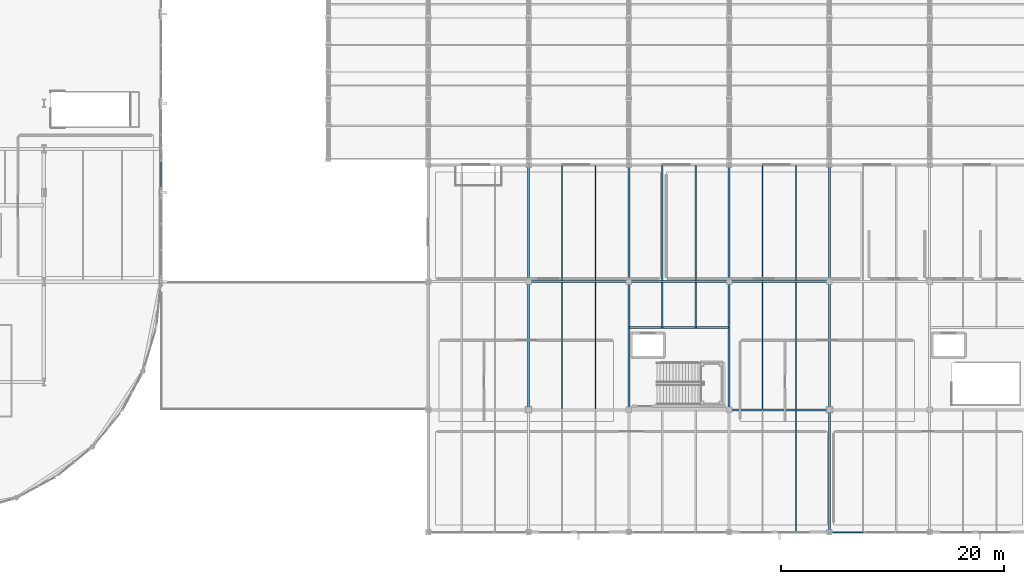
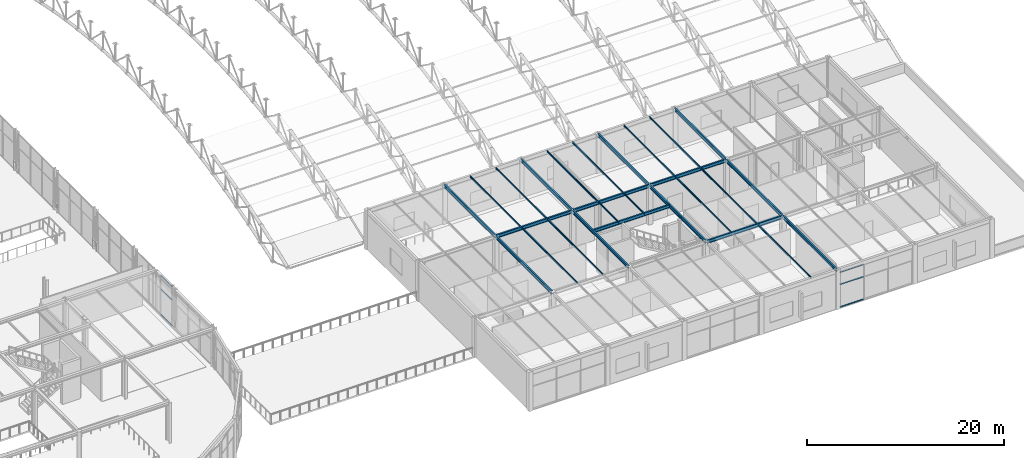
# One storey, part 65 of 195: 27 beams, 6 members, 2 elements without a shape of their own.
"""IFC4 building model written with IfcOpenShell, lengths in metres."""

from ifc_helpers import new_model, si_unit, direction, frame, origin, origin_2d, place, context, subcontext, project, spatial, hollow_rectangle, i_section, extrude, material, layer, layer_set, material_profile, profile_set, type_object, element, aggregate, save


model = new_model("IFC4")

# Units and contexts
model_context = context("Model", 3, precision=1e-05, world=origin(), true_north=direction((0.0, 1.0)))
body_context = subcontext(model_context, "Body", "Model", "MODEL_VIEW")
ifc_project = project(units=[si_unit("LENGTHUNIT", "METRE"), si_unit("AREAUNIT", "SQUARE_METRE"), si_unit("VOLUMEUNIT", "CUBIC_METRE"), si_unit("PLANEANGLEUNIT", "RADIAN"), si_unit("MASSUNIT", "GRAM", prefix="KILO")], contexts=[model_context])

# Site, building, storey
site_placement = place(None, origin())
site = spatial("IfcSite", under=ifc_project, at=site_placement, CompositionType="ELEMENT")
building_placement = place(site_placement, origin())
building = spatial("IfcBuilding", under=site, at=building_placement, Name="Marlcrest Central Station", CompositionType="ELEMENT")
storey_placement = place(building_placement, frame((0.0, 0.0, 9.800048828125)))
storey = spatial("IfcBuildingStorey", under=building, at=storey_placement, Name="L02", CompositionType="ELEMENT", Elevation=9.800048828125)

# Beams
ifc_material_1 = material(Name="Steel S355", Category="steel")
ifc_material_profile_1 = material_profile(ifc_material_1, i_section(OverallWidth=0.179931640625, OverallDepth=0.39990234375, WebThickness=0.008544921875, FlangeThickness=0.013427734375, FilletRadius=0.02099609375, at=origin_2d()), Name="IPE 400")
ifc_profile_set_1 = profile_set([ifc_material_profile_1], Name="Steel S355")
beam_type_1 = type_object("IfcBeamType", Name="BM-03", PredefinedType="BEAM", material=ifc_profile_set_1)
for number, where, z_axis, x_axis, name in (
    (1, (180.06005859375, 11.0, 4.669921875), (1.0, 0.0, 0.0), (0.0, 1.0, 0.0), "bm-BM-03-L02-00964"),
    (2, (162.06005859375, 22.5, 4.669921875), (1.0, 0.0, 0.0), (0.0, 1.0, 0.0), "bm-BM-03-L02-00968"),
    (3, (171.06005859375, 22.5, 4.669921875), (1.0, 0.0, 0.0), (0.0, 1.0, 0.0), "bm-BM-03-L02-00969"),
    (4, (180.06005859375, 22.5, 4.669921875), (1.0, 0.0, 0.0), (0.0, 1.0, 0.0), "bm-BM-03-L02-00970"),
):
    element("IfcBeam", number, at=place(storey_placement, frame(where, z_axis=z_axis, x_axis=x_axis)), inside=storey, type_object=beam_type_1, Name=name, PredefinedType="BEAM", context=body_context, shape_type="SweptSolid", body=[
        extrude(i_section(OverallWidth=0.179931640625, OverallDepth=0.39990234375, WebThickness=0.008544921875, FlangeThickness=0.013427734375, FilletRadius=0.02099609375, at=origin_2d()), origin(), (0.0, 0.0, 1.0), 8.8798828125),
    ])
beam_1_placement = place(storey_placement, frame((162.0, 11.06005859375, 4.669921875), z_axis=(0.0, 1.0, 0.0), x_axis=(-1.0, 0.0, 0.0)))
element("IfcBeam", 5, at=beam_1_placement, inside=storey, type_object=beam_type_1, Name="bm-BM-03-L02-00983", PredefinedType="BEAM", context=body_context, shape_type="SweptSolid", body=[
    extrude(i_section(OverallWidth=0.179931640625, OverallDepth=0.39990234375, WebThickness=0.008544921875, FlangeThickness=0.013427734375, FilletRadius=0.02099609375, at=origin_2d()), origin(), (0.0, 0.0, 1.0), 11.3798828125),
])
beam_2_placement = place(storey_placement, frame((162.0, 22.56005859375, 4.669921875), z_axis=(0.0, 1.0, 0.0), x_axis=(-1.0, 0.0, 0.0)))
element("IfcBeam", 6, at=beam_2_placement, inside=storey, type_object=beam_type_1, Name="bm-BM-03-L02-00984", PredefinedType="BEAM", context=body_context, shape_type="SweptSolid", body=[
    extrude(i_section(OverallWidth=0.179931640625, OverallDepth=0.39990234375, WebThickness=0.008544921875, FlangeThickness=0.013427734375, FilletRadius=0.02099609375, at=origin_2d()), origin(), (0.0, 0.0, 1.0), 10.3798828125),
])
beam_3_placement = place(storey_placement, frame((171.0, 11.06005859375, 4.669921875), z_axis=(0.0, 1.0, 0.0), x_axis=(-1.0, 0.0, 0.0)))
element("IfcBeam", 7, at=beam_3_placement, inside=storey, type_object=beam_type_1, Name="bm-BM-03-L02-00986", PredefinedType="BEAM", context=body_context, shape_type="SweptSolid", body=[
    extrude(i_section(OverallWidth=0.179931640625, OverallDepth=0.39990234375, WebThickness=0.008544921875, FlangeThickness=0.013427734375, FilletRadius=0.02099609375, at=origin_2d()), origin(), (0.0, 0.0, 1.0), 11.3798828125),
])
beam_4_placement = place(storey_placement, frame((171.0, 22.56005859375, 4.669921875), z_axis=(0.0, 1.0, 0.0), x_axis=(-1.0, 0.0, 0.0)))
element("IfcBeam", 8, at=beam_4_placement, inside=storey, type_object=beam_type_1, Name="bm-BM-03-L02-00987", PredefinedType="BEAM", context=body_context, shape_type="SweptSolid", body=[
    extrude(i_section(OverallWidth=0.179931640625, OverallDepth=0.39990234375, WebThickness=0.008544921875, FlangeThickness=0.013427734375, FilletRadius=0.02099609375, at=origin_2d()), origin(), (0.0, 0.0, 1.0), 10.3798828125),
])
beam_5_placement = place(storey_placement, frame((180.0, 11.06005859375, 4.669921875), z_axis=(0.0, 1.0, 0.0), x_axis=(-1.0, 0.0, 0.0)))
element("IfcBeam", 9, at=beam_5_placement, inside=storey, type_object=beam_type_1, Name="bm-BM-03-L02-00989", PredefinedType="BEAM", context=body_context, shape_type="SweptSolid", body=[
    extrude(i_section(OverallWidth=0.179931640625, OverallDepth=0.39990234375, WebThickness=0.008544921875, FlangeThickness=0.013427734375, FilletRadius=0.02099609375, at=origin_2d()), origin(), (0.0, 0.0, 1.0), 11.3798828125),
])
beam_6_placement = place(storey_placement, frame((180.0, 22.56005859375, 4.669921875), z_axis=(0.0, 1.0, 0.0), x_axis=(-1.0, 0.0, 0.0)))
element("IfcBeam", 10, at=beam_6_placement, inside=storey, type_object=beam_type_1, Name="bm-BM-03-L02-00990", PredefinedType="BEAM", context=body_context, shape_type="SweptSolid", body=[
    extrude(i_section(OverallWidth=0.179931640625, OverallDepth=0.39990234375, WebThickness=0.008544921875, FlangeThickness=0.013427734375, FilletRadius=0.02099609375, at=origin_2d()), origin(), (0.0, 0.0, 1.0), 10.3798828125),
])
beam_7_placement = place(storey_placement, frame((189.0, 0.06005859375, 4.669921875), z_axis=(0.0, 1.0, 0.0), x_axis=(-1.0, 0.0, 0.0)))
element("IfcBeam", 11, at=beam_7_placement, inside=storey, type_object=beam_type_1, Name="bm-BM-03-L02-00991", PredefinedType="BEAM", context=body_context, shape_type="SweptSolid", body=[
    extrude(i_section(OverallWidth=0.179931640625, OverallDepth=0.39990234375, WebThickness=0.008544921875, FlangeThickness=0.013427734375, FilletRadius=0.02099609375, at=origin_2d()), origin(), (0.0, 0.0, 1.0), 10.8798828125),
])
beam_8_placement = place(storey_placement, frame((189.0, 11.06005859375, 4.669921875), z_axis=(0.0, 1.0, 0.0), x_axis=(-1.0, 0.0, 0.0)))
element("IfcBeam", 12, at=beam_8_placement, inside=storey, type_object=beam_type_1, Name="bm-BM-03-L02-00992", PredefinedType="BEAM", context=body_context, shape_type="SweptSolid", body=[
    extrude(i_section(OverallWidth=0.179931640625, OverallDepth=0.39990234375, WebThickness=0.008544921875, FlangeThickness=0.013427734375, FilletRadius=0.02099609375, at=origin_2d()), origin(), (0.0, 0.0, 1.0), 11.3798828125),
])
beam_9_placement = place(storey_placement, frame((189.0, 22.56005859375, 4.669921875), z_axis=(0.0, 1.0, 0.0), x_axis=(-1.0, 0.0, 0.0)))
element("IfcBeam", 13, at=beam_9_placement, inside=storey, type_object=beam_type_1, Name="bm-BM-03-L02-00993", PredefinedType="BEAM", context=body_context, shape_type="SweptSolid", body=[
    extrude(i_section(OverallWidth=0.179931640625, OverallDepth=0.39990234375, WebThickness=0.008544921875, FlangeThickness=0.013427734375, FilletRadius=0.02099609375, at=origin_2d()), origin(), (0.0, 0.0, 1.0), 10.3798828125),
])
beam_10_placement = place(storey_placement, frame((171.0400390625, 18.39990234375, 4.669921875), z_axis=(1.0, 0.0, 0.0), x_axis=(0.0, 1.0, 0.0)))
element("IfcBeam", 14, at=beam_10_placement, inside=storey, type_object=beam_type_1, Name="bm-BM-03-L02-01036", PredefinedType="BEAM", context=body_context, shape_type="SweptSolid", body=[
    extrude(i_section(OverallWidth=0.179931640625, OverallDepth=0.39990234375, WebThickness=0.008544921875, FlangeThickness=0.013427734375, FilletRadius=0.02099609375, at=origin_2d()), origin(), (0.0, 0.0, 1.0), 8.919921875),
])
ifc_material_profile_2 = material_profile(ifc_material_1, i_section(OverallWidth=0.10009765625, OverallDepth=0.199951171875, WebThickness=0.005615234375, FlangeThickness=0.008544921875, FilletRadius=0.011962890625, at=origin_2d()), Name="IPE 200")
ifc_profile_set_2 = profile_set([ifc_material_profile_2], Name="Steel S355")
beam_type_2 = type_object("IfcBeamType", Name="JS-01", PredefinedType="JOIST", material=ifc_profile_set_2)
beam_11_placement = place(storey_placement, frame((165.0, 11.0830078125, 4.77001953125), z_axis=(0.0, 1.0, 0.0), x_axis=(-1.0, 0.0, 0.0)))
element("IfcBeam", 15, at=beam_11_placement, inside=storey, type_object=beam_type_2, Name="bm-JS-01-L02-01007", PredefinedType="JOIST", context=body_context, shape_type="SweptSolid", body=[
    extrude(i_section(OverallWidth=0.10009765625, OverallDepth=0.199951171875, WebThickness=0.005615234375, FlangeThickness=0.008544921875, FilletRadius=0.011962890625, at=origin_2d()), origin(), (0.0, 0.0, 1.0), 11.333984375),
])
beam_12_placement = place(storey_placement, frame((165.0, 22.5830078125, 4.77001953125), z_axis=(0.0, 1.0, 0.0), x_axis=(-1.0, 0.0, 0.0)))
element("IfcBeam", 16, at=beam_12_placement, inside=storey, type_object=beam_type_2, Name="bm-JS-01-L02-01008", PredefinedType="JOIST", context=body_context, shape_type="SweptSolid", body=[
    extrude(i_section(OverallWidth=0.10009765625, OverallDepth=0.199951171875, WebThickness=0.005615234375, FlangeThickness=0.008544921875, FilletRadius=0.011962890625, at=origin_2d()), origin(), (0.0, 0.0, 1.0), 10.333984375),
])
beam_13_placement = place(storey_placement, frame((168.0, 11.0830078125, 4.77001953125), z_axis=(0.0, 1.0, 0.0), x_axis=(-1.0, 0.0, 0.0)))
element("IfcBeam", 17, at=beam_13_placement, inside=storey, type_object=beam_type_2, Name="bm-JS-01-L02-01010", PredefinedType="JOIST", context=body_context, shape_type="SweptSolid", body=[
    extrude(i_section(OverallWidth=0.10009765625, OverallDepth=0.199951171875, WebThickness=0.005615234375, FlangeThickness=0.008544921875, FilletRadius=0.011962890625, at=origin_2d()), origin(), (0.0, 0.0, 1.0), 11.333984375),
])
beam_14_placement = place(storey_placement, frame((168.0, 22.5830078125, 4.77001953125), z_axis=(0.0, 1.0, 0.0), x_axis=(-1.0, 0.0, 0.0)))
element("IfcBeam", 18, at=beam_14_placement, inside=storey, type_object=beam_type_2, Name="bm-JS-01-L02-01011", PredefinedType="JOIST", context=body_context, shape_type="SweptSolid", body=[
    extrude(i_section(OverallWidth=0.10009765625, OverallDepth=0.199951171875, WebThickness=0.005615234375, FlangeThickness=0.008544921875, FilletRadius=0.011962890625, at=origin_2d()), origin(), (0.0, 0.0, 1.0), 10.333984375),
])
beam_15_placement = place(storey_placement, frame((174.0, 18.360107421875, 4.77001953125), z_axis=(0.0, 1.0, 0.0), x_axis=(-1.0, 0.0, 0.0)))
element("IfcBeam", 19, at=beam_15_placement, inside=storey, type_object=beam_type_2, Name="bm-JS-01-L02-01013", PredefinedType="JOIST", context=body_context, shape_type="SweptSolid", body=[
    extrude(i_section(OverallWidth=0.10009765625, OverallDepth=0.199951171875, WebThickness=0.005615234375, FlangeThickness=0.008544921875, FilletRadius=0.011962890625, at=origin_2d()), origin(), (0.0, 0.0, 1.0), 4.056884765625),
])
beam_16_placement = place(storey_placement, frame((174.0, 22.5830078125, 4.77001953125), z_axis=(0.0, 1.0, 0.0), x_axis=(-1.0, 0.0, 0.0)))
element("IfcBeam", 20, at=beam_16_placement, inside=storey, type_object=beam_type_2, Name="bm-JS-01-L02-01014", PredefinedType="JOIST", context=body_context, shape_type="SweptSolid", body=[
    extrude(i_section(OverallWidth=0.10009765625, OverallDepth=0.199951171875, WebThickness=0.005615234375, FlangeThickness=0.008544921875, FilletRadius=0.011962890625, at=origin_2d()), origin(), (0.0, 0.0, 1.0), 10.333984375),
])
beam_17_placement = place(storey_placement, frame((177.0, 18.360107421875, 4.77001953125), z_axis=(0.0, 1.0, 0.0), x_axis=(-1.0, 0.0, 0.0)))
element("IfcBeam", 21, at=beam_17_placement, inside=storey, type_object=beam_type_2, Name="bm-JS-01-L02-01016", PredefinedType="JOIST", context=body_context, shape_type="SweptSolid", body=[
    extrude(i_section(OverallWidth=0.10009765625, OverallDepth=0.199951171875, WebThickness=0.005615234375, FlangeThickness=0.008544921875, FilletRadius=0.011962890625, at=origin_2d()), origin(), (0.0, 0.0, 1.0), 4.056884765625),
])
beam_18_placement = place(storey_placement, frame((177.0, 22.5830078125, 4.77001953125), z_axis=(0.0, 1.0, 0.0), x_axis=(-1.0, 0.0, 0.0)))
element("IfcBeam", 22, at=beam_18_placement, inside=storey, type_object=beam_type_2, Name="bm-JS-01-L02-01017", PredefinedType="JOIST", context=body_context, shape_type="SweptSolid", body=[
    extrude(i_section(OverallWidth=0.10009765625, OverallDepth=0.199951171875, WebThickness=0.005615234375, FlangeThickness=0.008544921875, FilletRadius=0.011962890625, at=origin_2d()), origin(), (0.0, 0.0, 1.0), 10.333984375),
])
beam_19_placement = place(storey_placement, frame((183.0, 11.0830078125, 4.77001953125), z_axis=(0.0, 1.0, 0.0), x_axis=(-1.0, 0.0, 0.0)))
element("IfcBeam", 23, at=beam_19_placement, inside=storey, type_object=beam_type_2, Name="bm-JS-01-L02-01019", PredefinedType="JOIST", context=body_context, shape_type="SweptSolid", body=[
    extrude(i_section(OverallWidth=0.10009765625, OverallDepth=0.199951171875, WebThickness=0.005615234375, FlangeThickness=0.008544921875, FilletRadius=0.011962890625, at=origin_2d()), origin(), (0.0, 0.0, 1.0), 11.333984375),
])
beam_20_placement = place(storey_placement, frame((183.0, 22.5830078125, 4.77001953125), z_axis=(0.0, 1.0, 0.0), x_axis=(-1.0, 0.0, 0.0)))
element("IfcBeam", 24, at=beam_20_placement, inside=storey, type_object=beam_type_2, Name="bm-JS-01-L02-01020", PredefinedType="JOIST", context=body_context, shape_type="SweptSolid", body=[
    extrude(i_section(OverallWidth=0.10009765625, OverallDepth=0.199951171875, WebThickness=0.005615234375, FlangeThickness=0.008544921875, FilletRadius=0.011962890625, at=origin_2d()), origin(), (0.0, 0.0, 1.0), 10.333984375),
])
beam_21_placement = place(storey_placement, frame((186.0, 0.0830078125, 4.77001953125), z_axis=(0.0, 1.0, 0.0), x_axis=(-1.0, 0.0, 0.0)))
element("IfcBeam", 25, at=beam_21_placement, inside=storey, type_object=beam_type_2, Name="bm-JS-01-L02-01021", PredefinedType="JOIST", context=body_context, shape_type="SweptSolid", body=[
    extrude(i_section(OverallWidth=0.10009765625, OverallDepth=0.199951171875, WebThickness=0.005615234375, FlangeThickness=0.008544921875, FilletRadius=0.011962890625, at=origin_2d()), origin(), (0.0, 0.0, 1.0), 10.833984375),
])
beam_22_placement = place(storey_placement, frame((186.0, 11.0830078125, 4.77001953125), z_axis=(0.0, 1.0, 0.0), x_axis=(-1.0, 0.0, 0.0)))
element("IfcBeam", 26, at=beam_22_placement, inside=storey, type_object=beam_type_2, Name="bm-JS-01-L02-01022", PredefinedType="JOIST", context=body_context, shape_type="SweptSolid", body=[
    extrude(i_section(OverallWidth=0.10009765625, OverallDepth=0.199951171875, WebThickness=0.005615234375, FlangeThickness=0.008544921875, FilletRadius=0.011962890625, at=origin_2d()), origin(), (0.0, 0.0, 1.0), 11.333984375),
])
beam_23_placement = place(storey_placement, frame((186.0, 22.5830078125, 4.77001953125), z_axis=(0.0, 1.0, 0.0), x_axis=(-1.0, 0.0, 0.0)))
element("IfcBeam", 27, at=beam_23_placement, inside=storey, type_object=beam_type_2, Name="bm-JS-01-L02-01023", PredefinedType="JOIST", context=body_context, shape_type="SweptSolid", body=[
    extrude(i_section(OverallWidth=0.10009765625, OverallDepth=0.199951171875, WebThickness=0.005615234375, FlangeThickness=0.008544921875, FilletRadius=0.011962890625, at=origin_2d()), origin(), (0.0, 0.0, 1.0), 10.333984375),
])

# Curtain wall, members
ifc_material_2 = material(Name="Anodised aluminium and hurricane laminated glass", Category="aluminium")
ifc_layer_1 = layer(ifc_material_2, 0.219970703125, Name="CW-U1")
ifc_layer_set_1 = layer_set([ifc_layer_1], Name="Anodised aluminium and hurricane laminated glass")
curtain_wall_type_1 = type_object("IfcCurtainWallType", Name="CW-U1", PredefinedType="USERDEFINED", material=ifc_layer_set_1)
curtain_wall_1_placement = place(storey_placement, origin())
curtain_wall_1 = element("IfcCurtainWall", 28, at=curtain_wall_1_placement, inside=storey, type_object=curtain_wall_type_1, Name="cw-L02-0104", ObjectType="UNITISED_CURTAIN_WALL", PredefinedType="USERDEFINED")
ifc_material_3 = material(Name="Anodised aluminium 6063-T6", Category="aluminium")
ifc_material_profile_3 = material_profile(ifc_material_3, hollow_rectangle(XDim=0.06005859375, YDim=0.14990234375, WallThickness=0.00390625, at=origin_2d()), Name="AA-RHS 150x60x4")
ifc_profile_set_3 = profile_set([ifc_material_profile_3], Name="Anodised aluminium 6063-T6")
member_type = type_object("IfcMemberType", Name="TR-01", PredefinedType="USERDEFINED", material=ifc_profile_set_3)
member_1_placement = place(storey_placement, frame((129.0, 33.27880859375, 0.0400390625), z_axis=(0.0, -1.0, 0.0), x_axis=(1.0, 0.0, 0.0)))
member_1 = element("IfcMember", 29, at=member_1_placement, type_object=member_type, Name="cw-L02-0104-tr-2-sill", ObjectType="TRANSOM", PredefinedType="USERDEFINED", context=body_context, shape_type="SweptSolid", body=[
    extrude(hollow_rectangle(XDim=0.06005859375, YDim=0.14990234375, WallThickness=0.00390625, at=origin_2d()), origin(), (0.0, 0.0, 1.0), 2.290771484375),
])
member_2_placement = place(storey_placement, frame((129.0, 33.27880859375, 3.218017578125), z_axis=(0.0, -1.0, 0.0), x_axis=(1.0, 0.0, 0.0)))
member_2 = element("IfcMember", 30, at=member_2_placement, type_object=member_type, Name="cw-L02-0104-tr-2-mid", ObjectType="TRANSOM", PredefinedType="USERDEFINED", context=body_context, shape_type="SweptSolid", body=[
    extrude(hollow_rectangle(XDim=0.06005859375, YDim=0.14990234375, WallThickness=0.00390625, at=origin_2d()), origin(), (0.0, 0.0, 1.0), 2.290771484375),
])
member_3_placement = place(storey_placement, frame((129.0, 33.27880859375, 4.909912109375), z_axis=(0.0, -1.0, 0.0), x_axis=(1.0, 0.0, 0.0)))
member_3 = element("IfcMember", 31, at=member_3_placement, type_object=member_type, Name="cw-L02-0104-tr-2-head", ObjectType="TRANSOM", PredefinedType="USERDEFINED", context=body_context, shape_type="SweptSolid", body=[
    extrude(hollow_rectangle(XDim=0.06005859375, YDim=0.14990234375, WallThickness=0.00390625, at=origin_2d()), origin(), (0.0, 0.0, 1.0), 2.290771484375),
])
aggregate(curtain_wall_1, [member_1, member_2, member_3])

ifc_layer_2 = layer(ifc_material_2, 0.179931640625, Name="CW-S1")
ifc_layer_set_2 = layer_set([ifc_layer_2], Name="Anodised aluminium and hurricane laminated glass")
curtain_wall_type_2 = type_object("IfcCurtainWallType", Name="CW-S1", PredefinedType="USERDEFINED", material=ifc_layer_set_2)
curtain_wall_2_placement = place(storey_placement, origin())
curtain_wall_2 = element("IfcCurtainWall", 32, at=curtain_wall_2_placement, inside=storey, type_object=curtain_wall_type_2, Name="cw-L02-0155", ObjectType="STICK_CURTAIN_WALL", PredefinedType="USERDEFINED")
member_4_placement = place(storey_placement, frame((192.05029296875, 0.0, 0.0400390625), z_axis=(-1.0, 0.0, 0.0), x_axis=(0.0, -1.0, 0.0)))
member_4 = element("IfcMember", 33, at=member_4_placement, type_object=member_type, Name="cw-L02-0155-tr-2-sill", ObjectType="TRANSOM", PredefinedType="USERDEFINED", context=body_context, shape_type="SweptSolid", body=[
    extrude(hollow_rectangle(XDim=0.06005859375, YDim=0.14990234375, WallThickness=0.00390625, at=origin_2d()), origin(), (0.0, 0.0, 1.0), 2.767333984375),
])
member_5_placement = place(storey_placement, frame((192.05029296875, 0.0, 2.85400390625), z_axis=(-1.0, 0.0, 0.0), x_axis=(0.0, -1.0, 0.0)))
member_5 = element("IfcMember", 34, at=member_5_placement, type_object=member_type, Name="cw-L02-0155-tr-2-mid", ObjectType="TRANSOM", PredefinedType="USERDEFINED", context=body_context, shape_type="SweptSolid", body=[
    extrude(hollow_rectangle(XDim=0.06005859375, YDim=0.14990234375, WallThickness=0.00390625, at=origin_2d()), origin(), (0.0, 0.0, 1.0), 2.767333984375),
])
member_6_placement = place(storey_placement, frame((192.05029296875, 0.0, 4.349853515625), z_axis=(-1.0, 0.0, 0.0), x_axis=(0.0, -1.0, 0.0)))
member_6 = element("IfcMember", 35, at=member_6_placement, type_object=member_type, Name="cw-L02-0155-tr-2-head", ObjectType="TRANSOM", PredefinedType="USERDEFINED", context=body_context, shape_type="SweptSolid", body=[
    extrude(hollow_rectangle(XDim=0.06005859375, YDim=0.14990234375, WallThickness=0.00390625, at=origin_2d()), origin(), (0.0, 0.0, 1.0), 2.767333984375),
])
aggregate(curtain_wall_2, [member_4, member_5, member_6])

save(model, "model.ifc")
